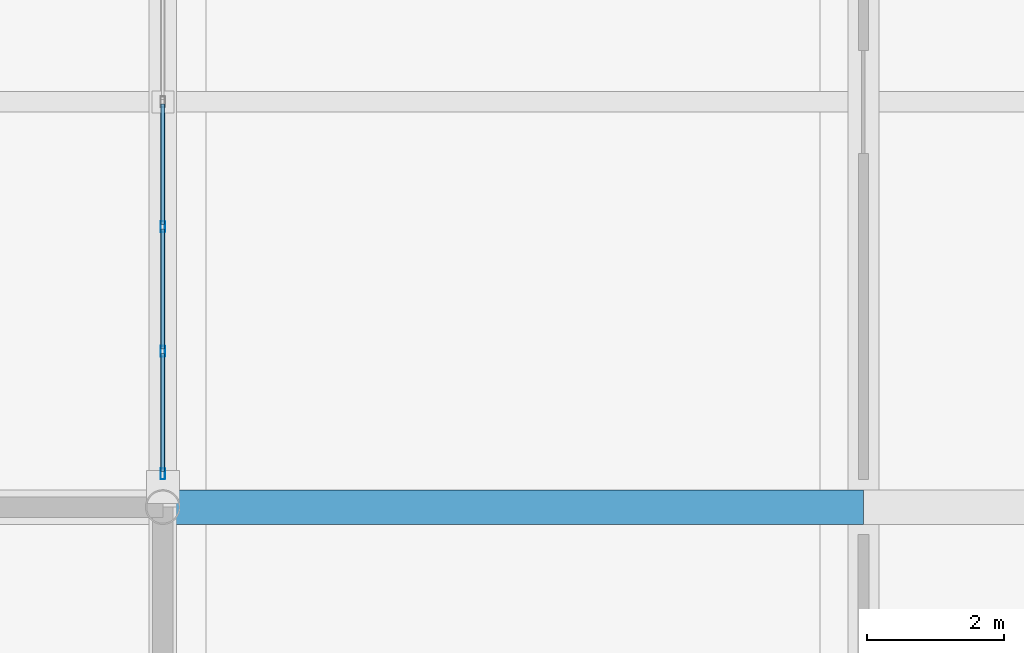
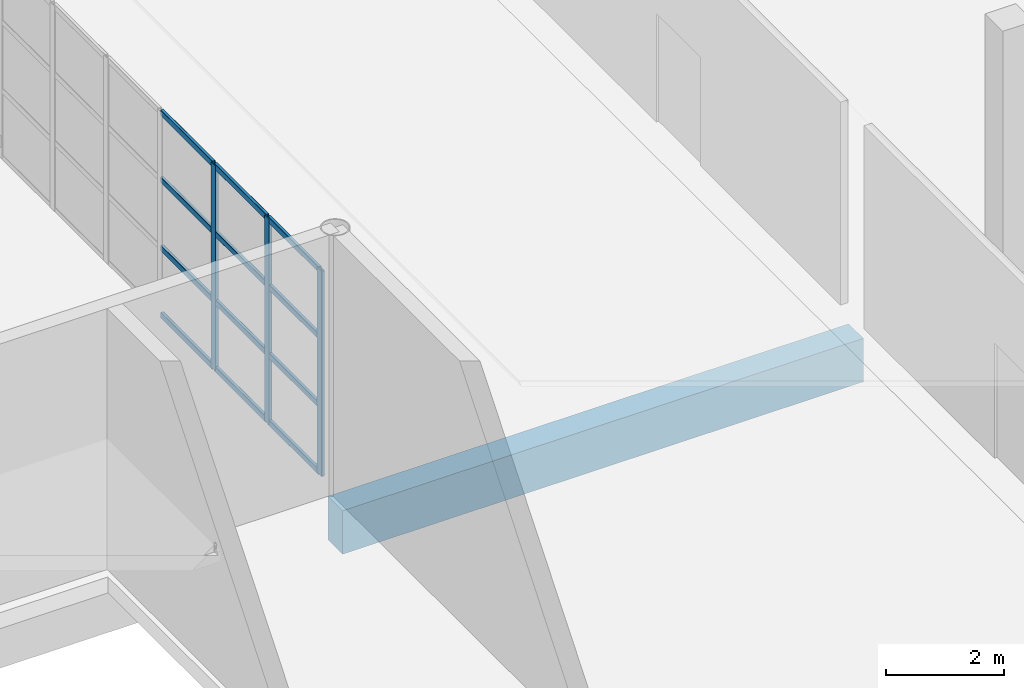
# One storey, part 57 of 175: 15 members, 1 beam, 1 element without a shape of its own.
"""IFC4 building model written with IfcOpenShell, lengths in metres."""

from ifc_helpers import new_model, si_unit, direction, frame, origin, origin_2d, place, context, subcontext, project, spatial, rectangle, hollow_rectangle, extrude, material, material_profile, profile_set, type_object, element, aggregate, save


model = new_model("IFC4")

# Units and contexts
model_context = context("Model", 3, precision=1e-05, world=origin(), true_north=direction((0.0, 1.0)))
body_context = subcontext(model_context, "Body", "Model", "MODEL_VIEW")
ifc_project = project(units=[si_unit("LENGTHUNIT", "METRE"), si_unit("AREAUNIT", "SQUARE_METRE"), si_unit("VOLUMEUNIT", "CUBIC_METRE"), si_unit("PLANEANGLEUNIT", "RADIAN"), si_unit("MASSUNIT", "GRAM", prefix="KILO")], contexts=[model_context])

# Site, building, storey
site_placement = place(None, origin())
site = spatial("IfcSite", under=ifc_project, at=site_placement, CompositionType="ELEMENT")
building_placement = place(site_placement, origin())
building = spatial("IfcBuilding", under=site, at=building_placement, Name="Brelvane Convention Centre", CompositionType="ELEMENT")
storey_placement = place(building_placement, frame((0.0, 0.0, 5.39990234375)))
storey = spatial("IfcBuildingStorey", under=building, at=storey_placement, Name="L01", CompositionType="ELEMENT", Elevation=5.39990234375)

# Curtain wall, members
ifc_material_1 = material(Name="Anodised Aluminium Alloy 6063-T6", Category="aluminium")
curtain_wall_type = type_object("IfcCurtainWallType", Name="Curtain Wall CW-CONC", PredefinedType="USERDEFINED", material=ifc_material_1)
curtain_wall_placement = place(storey_placement, origin())
curtain_wall = element("IfcCurtainWall", 1, at=curtain_wall_placement, inside=storey, type_object=curtain_wall_type, Name="Curtain Wall CW-CONC L01-GAL-ATRIUM-E-2", ObjectType="UNITISED", PredefinedType="USERDEFINED")
ifc_material_2 = material(Name="Anodised Aluminium Alloy 6063-T6", Category="aluminium")
ifc_material_profile_1 = material_profile(ifc_material_2, hollow_rectangle(XDim=0.06494140625, YDim=0.159912109375, WallThickness=0.00390625, InnerFilletRadius=0.00390625, OuterFilletRadius=0.008056640625, at=origin_2d()), Name="ALU-M 160x65x4.0")
ifc_profile_set_1 = profile_set([ifc_material_profile_1], Name="Anodised Aluminium Alloy 6063-T6")
member_type_1 = type_object("IfcMemberType", Name="Curtain Mullion CW-M3", PredefinedType="MULLION", material=ifc_profile_set_1)
member_1_placement = place(storey_placement, frame((163.199951171875, 52.882568359375, 0.0), z_axis=(0.0, 0.0, 1.0), x_axis=(-1.0, 0.0, 0.0)))
member_1 = element("IfcMember", 2, at=member_1_placement, type_object=member_type_1, Name="CW-CONC mullion 1", PredefinedType="MULLION", context=body_context, shape_type="SweptSolid", body=[
    extrude(hollow_rectangle(XDim=0.06494140625, YDim=0.159912109375, WallThickness=0.00390625, InnerFilletRadius=0.00390625, OuterFilletRadius=0.008056640625, at=origin_2d()), origin(), (0.0, 0.0, 1.0), 4.25),
])
member_2_placement = place(storey_placement, frame((163.199951171875, 54.666748046875, 0.0), z_axis=(0.0, 0.0, 1.0), x_axis=(-1.0, 0.0, 0.0)))
member_2 = element("IfcMember", 3, at=member_2_placement, type_object=member_type_1, Name="CW-CONC mullion 2", PredefinedType="MULLION", context=body_context, shape_type="SweptSolid", body=[
    extrude(hollow_rectangle(XDim=0.06494140625, YDim=0.159912109375, WallThickness=0.00390625, InnerFilletRadius=0.00390625, OuterFilletRadius=0.008056640625, at=origin_2d()), origin(), (0.0, 0.0, 1.0), 4.25),
])
member_3_placement = place(storey_placement, frame((163.199951171875, 56.4833984375, 0.0), z_axis=(0.0, 0.0, 1.0), x_axis=(-1.0, 0.0, 0.0)))
member_3 = element("IfcMember", 4, at=member_3_placement, type_object=member_type_1, Name="CW-CONC mullion 3", PredefinedType="MULLION", context=body_context, shape_type="SweptSolid", body=[
    extrude(hollow_rectangle(XDim=0.06494140625, YDim=0.159912109375, WallThickness=0.00390625, InnerFilletRadius=0.00390625, OuterFilletRadius=0.008056640625, at=origin_2d()), origin(), (0.0, 0.0, 1.0), 4.25),
])
ifc_material_3 = material(Name="Anodised Aluminium Alloy 6063-T6", Category="aluminium")
ifc_material_profile_2 = material_profile(ifc_material_3, hollow_rectangle(XDim=0.06005859375, YDim=0.1201171875, WallThickness=0.00390625, InnerFilletRadius=0.00390625, OuterFilletRadius=0.008056640625, at=origin_2d()), Name="ALU-T 120x60x4.0")
ifc_profile_set_2 = profile_set([ifc_material_profile_2], Name="Anodised Aluminium Alloy 6063-T6")
member_type_2 = type_object("IfcMemberType", Name="Curtain Transom CW-T3", PredefinedType="USERDEFINED", material=ifc_profile_set_2)
member_4_placement = place(storey_placement, frame((163.199951171875, 52.9150390625, 0.030029296875), z_axis=(0.0, 1.0, 0.0), x_axis=(-1.0, 0.0, 0.0)))
member_4 = element("IfcMember", 5, at=member_4_placement, type_object=member_type_2, Name="CW-CONC transom 1.1", ObjectType="TRANSOM", PredefinedType="USERDEFINED", context=body_context, shape_type="SweptSolid", body=[
    extrude(hollow_rectangle(XDim=0.06005859375, YDim=0.1201171875, WallThickness=0.00390625, InnerFilletRadius=0.00390625, OuterFilletRadius=0.008056640625, at=origin_2d()), origin(), (0.0, 0.0, 1.0), 1.71923828125),
])
member_5_placement = place(storey_placement, frame((163.199951171875, 52.9150390625, 1.416748046875), z_axis=(0.0, 1.0, 0.0), x_axis=(-1.0, 0.0, 0.0)))
member_5 = element("IfcMember", 6, at=member_5_placement, type_object=member_type_2, Name="CW-CONC transom 1.2", ObjectType="TRANSOM", PredefinedType="USERDEFINED", context=body_context, shape_type="SweptSolid", body=[
    extrude(hollow_rectangle(XDim=0.06005859375, YDim=0.1201171875, WallThickness=0.00390625, InnerFilletRadius=0.00390625, OuterFilletRadius=0.008056640625, at=origin_2d()), origin(), (0.0, 0.0, 1.0), 1.71923828125),
])
member_6_placement = place(storey_placement, frame((163.199951171875, 52.9150390625, 2.83349609375), z_axis=(0.0, 1.0, 0.0), x_axis=(-1.0, 0.0, 0.0)))
member_6 = element("IfcMember", 7, at=member_6_placement, type_object=member_type_2, Name="CW-CONC transom 1.3", ObjectType="TRANSOM", PredefinedType="USERDEFINED", context=body_context, shape_type="SweptSolid", body=[
    extrude(hollow_rectangle(XDim=0.06005859375, YDim=0.1201171875, WallThickness=0.00390625, InnerFilletRadius=0.00390625, OuterFilletRadius=0.008056640625, at=origin_2d()), origin(), (0.0, 0.0, 1.0), 1.71923828125),
])
member_7_placement = place(storey_placement, frame((163.199951171875, 52.9150390625, 4.22021484375), z_axis=(0.0, 1.0, 0.0), x_axis=(-1.0, 0.0, 0.0)))
member_7 = element("IfcMember", 8, at=member_7_placement, type_object=member_type_2, Name="CW-CONC transom 1.4", ObjectType="TRANSOM", PredefinedType="USERDEFINED", context=body_context, shape_type="SweptSolid", body=[
    extrude(hollow_rectangle(XDim=0.06005859375, YDim=0.1201171875, WallThickness=0.00390625, InnerFilletRadius=0.00390625, OuterFilletRadius=0.008056640625, at=origin_2d()), origin(), (0.0, 0.0, 1.0), 1.71923828125),
])
member_8_placement = place(storey_placement, frame((163.199951171875, 54.69921875, 0.030029296875), z_axis=(0.0, 1.0, 0.0), x_axis=(-1.0, 0.0, 0.0)))
member_8 = element("IfcMember", 9, at=member_8_placement, type_object=member_type_2, Name="CW-CONC transom 2.1", ObjectType="TRANSOM", PredefinedType="USERDEFINED", context=body_context, shape_type="SweptSolid", body=[
    extrude(hollow_rectangle(XDim=0.06005859375, YDim=0.1201171875, WallThickness=0.00390625, InnerFilletRadius=0.00390625, OuterFilletRadius=0.008056640625, at=origin_2d()), origin(), (0.0, 0.0, 1.0), 1.751708984375),
])
member_9_placement = place(storey_placement, frame((163.199951171875, 54.69921875, 1.416748046875), z_axis=(0.0, 1.0, 0.0), x_axis=(-1.0, 0.0, 0.0)))
member_9 = element("IfcMember", 10, at=member_9_placement, type_object=member_type_2, Name="CW-CONC transom 2.2", ObjectType="TRANSOM", PredefinedType="USERDEFINED", context=body_context, shape_type="SweptSolid", body=[
    extrude(hollow_rectangle(XDim=0.06005859375, YDim=0.1201171875, WallThickness=0.00390625, InnerFilletRadius=0.00390625, OuterFilletRadius=0.008056640625, at=origin_2d()), origin(), (0.0, 0.0, 1.0), 1.751708984375),
])
member_10_placement = place(storey_placement, frame((163.199951171875, 54.69921875, 2.83349609375), z_axis=(0.0, 1.0, 0.0), x_axis=(-1.0, 0.0, 0.0)))
member_10 = element("IfcMember", 11, at=member_10_placement, type_object=member_type_2, Name="CW-CONC transom 2.3", ObjectType="TRANSOM", PredefinedType="USERDEFINED", context=body_context, shape_type="SweptSolid", body=[
    extrude(hollow_rectangle(XDim=0.06005859375, YDim=0.1201171875, WallThickness=0.00390625, InnerFilletRadius=0.00390625, OuterFilletRadius=0.008056640625, at=origin_2d()), origin(), (0.0, 0.0, 1.0), 1.751708984375),
])
member_11_placement = place(storey_placement, frame((163.199951171875, 54.69921875, 4.22021484375), z_axis=(0.0, 1.0, 0.0), x_axis=(-1.0, 0.0, 0.0)))
member_11 = element("IfcMember", 12, at=member_11_placement, type_object=member_type_2, Name="CW-CONC transom 2.4", ObjectType="TRANSOM", PredefinedType="USERDEFINED", context=body_context, shape_type="SweptSolid", body=[
    extrude(hollow_rectangle(XDim=0.06005859375, YDim=0.1201171875, WallThickness=0.00390625, InnerFilletRadius=0.00390625, OuterFilletRadius=0.008056640625, at=origin_2d()), origin(), (0.0, 0.0, 1.0), 1.751708984375),
])
member_12_placement = place(storey_placement, frame((163.199951171875, 56.515869140625, 0.030029296875), z_axis=(0.0, 1.0, 0.0), x_axis=(-1.0, 0.0, 0.0)))
member_12 = element("IfcMember", 13, at=member_12_placement, type_object=member_type_2, Name="CW-CONC transom 3.1", ObjectType="TRANSOM", PredefinedType="USERDEFINED", context=body_context, shape_type="SweptSolid", body=[
    extrude(hollow_rectangle(XDim=0.06005859375, YDim=0.1201171875, WallThickness=0.00390625, InnerFilletRadius=0.00390625, OuterFilletRadius=0.008056640625, at=origin_2d()), origin(), (0.0, 0.0, 1.0), 1.751708984375),
])
member_13_placement = place(storey_placement, frame((163.199951171875, 56.515869140625, 1.416748046875), z_axis=(0.0, 1.0, 0.0), x_axis=(-1.0, 0.0, 0.0)))
member_13 = element("IfcMember", 14, at=member_13_placement, type_object=member_type_2, Name="CW-CONC transom 3.2", ObjectType="TRANSOM", PredefinedType="USERDEFINED", context=body_context, shape_type="SweptSolid", body=[
    extrude(hollow_rectangle(XDim=0.06005859375, YDim=0.1201171875, WallThickness=0.00390625, InnerFilletRadius=0.00390625, OuterFilletRadius=0.008056640625, at=origin_2d()), origin(), (0.0, 0.0, 1.0), 1.751708984375),
])
member_14_placement = place(storey_placement, frame((163.199951171875, 56.515869140625, 2.83349609375), z_axis=(0.0, 1.0, 0.0), x_axis=(-1.0, 0.0, 0.0)))
member_14 = element("IfcMember", 15, at=member_14_placement, type_object=member_type_2, Name="CW-CONC transom 3.3", ObjectType="TRANSOM", PredefinedType="USERDEFINED", context=body_context, shape_type="SweptSolid", body=[
    extrude(hollow_rectangle(XDim=0.06005859375, YDim=0.1201171875, WallThickness=0.00390625, InnerFilletRadius=0.00390625, OuterFilletRadius=0.008056640625, at=origin_2d()), origin(), (0.0, 0.0, 1.0), 1.751708984375),
])
member_15_placement = place(storey_placement, frame((163.199951171875, 56.515869140625, 4.22021484375), z_axis=(0.0, 1.0, 0.0), x_axis=(-1.0, 0.0, 0.0)))
member_15 = element("IfcMember", 16, at=member_15_placement, type_object=member_type_2, Name="CW-CONC transom 3.4", ObjectType="TRANSOM", PredefinedType="USERDEFINED", context=body_context, shape_type="SweptSolid", body=[
    extrude(hollow_rectangle(XDim=0.06005859375, YDim=0.1201171875, WallThickness=0.00390625, InnerFilletRadius=0.00390625, OuterFilletRadius=0.008056640625, at=origin_2d()), origin(), (0.0, 0.0, 1.0), 1.751708984375),
])
aggregate(curtain_wall, [member_1, member_2, member_3, member_4, member_5, member_6, member_7, member_8, member_9, member_10, member_11, member_12, member_13, member_14, member_15])

# Beam
ifc_material_4 = material(Name="Concrete M40", Category="concrete")
ifc_material_profile_3 = material_profile(ifc_material_4, rectangle(XDim=0.5, YDim=0.89990234375, at=origin_2d()), Name="RC 500x900")
ifc_profile_set_3 = profile_set([ifc_material_profile_3], Name="Concrete M40")
beam_type = type_object("IfcBeamType", Name="RC Beam B-RC4 (RC 500x900)", PredefinedType="BEAM", material=ifc_profile_set_3)
beam_placement = place(storey_placement, frame((163.199951171875, 52.39990234375, -0.77001953125), z_axis=(1.0, 0.0, 0.0), x_axis=(0.0, 1.0, 0.0)))
element("IfcBeam", 17, at=beam_placement, inside=storey, type_object=beam_type, Name="L01 Beam 17-18/F", PredefinedType="BEAM", context=body_context, shape_type="SweptSolid", body=[
    extrude(rectangle(XDim=0.5, YDim=0.89990234375, at=origin_2d()), origin(), (0.0, 0.0, 1.0), 10.199951171875),
])

save(model, "model.ifc")
